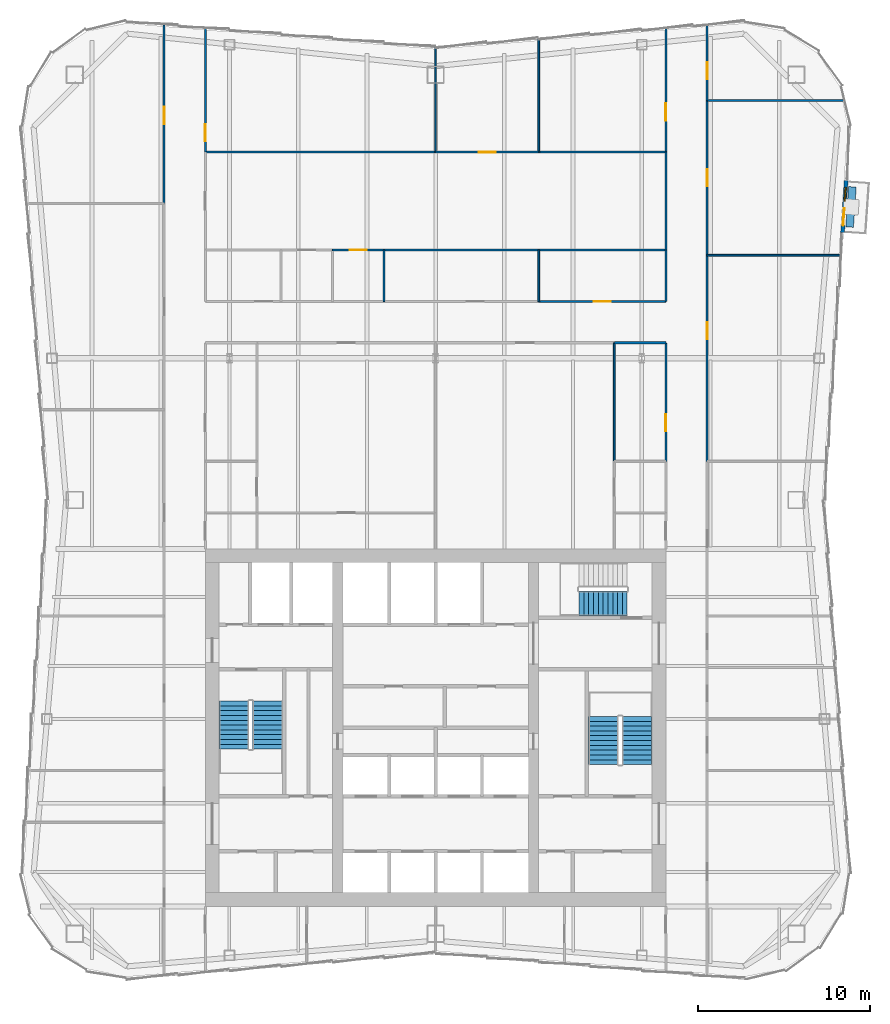
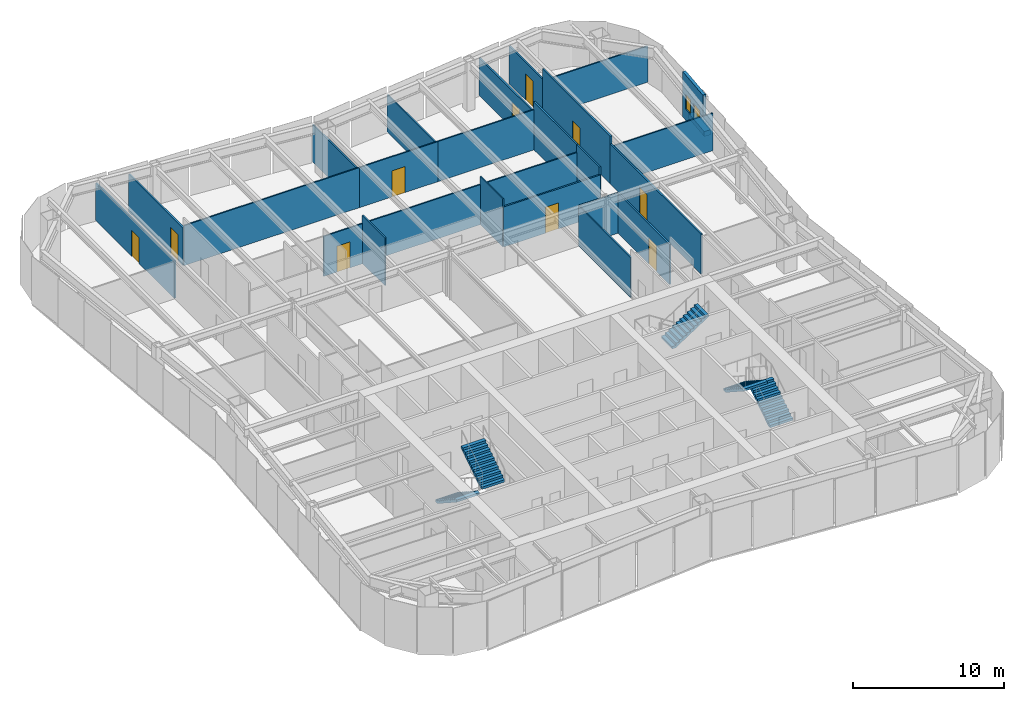
# One storey, part 9 of 12: 26 walls, 11 doors, 5 stair flights, 1 window, 12 openings, 3 elements without a shape of their own.
"""IFC4 building model written with IfcOpenShell, lengths in metres."""

from ifc_helpers import new_model, si_unit, direction, frame, frame_2d, origin, place, context, subcontext, project, spatial, polyline, rectangle, outline, extrude, material, layer, layer_set, type_object, element, fill, aggregate, save


model = new_model("IFC4")

# Units and contexts
model_context = context("Model", 3, precision=1e-05, world=origin(), true_north=direction((0.0, 1.0)))
body_context = subcontext(model_context, "Body", "Model", "MODEL_VIEW")
ifc_project = project(units=[si_unit("LENGTHUNIT", "METRE"), si_unit("AREAUNIT", "SQUARE_METRE"), si_unit("VOLUMEUNIT", "CUBIC_METRE"), si_unit("PLANEANGLEUNIT", "RADIAN"), si_unit("MASSUNIT", "GRAM", prefix="KILO")], contexts=[model_context])

# Site, building, storey
site_placement = place(None, origin())
site = spatial("IfcSite", under=ifc_project, at=site_placement, CompositionType="ELEMENT")
building_placement = place(site_placement, origin())
building = spatial("IfcBuilding", under=site, at=building_placement, Name="Verdant Reach Tower", CompositionType="ELEMENT")
storey_placement = place(building_placement, frame((0.0, 0.0, 242.0)))
storey = spatial("IfcBuildingStorey", under=building, at=storey_placement, Name="L55", CompositionType="ELEMENT", Elevation=242.0)

# Wall, openings, door, window
ifc_material_1 = material(Name="Insulated bronze aluminium panel wall", Category="aluminium")
ifc_layer_1 = layer(ifc_material_1, 0.219970703125)
ifc_layer_set_1 = layer_set([ifc_layer_1], Name="EN-INFILL WALL")
wall_type_1 = type_object("IfcWallType", Name="EN-INFILL WALL", PredefinedType="SOLIDWALL", material=ifc_layer_set_1)
wall_1_placement = place(storey_placement, frame((23.685546875, 56.81201171875, 0.0), z_axis=(0.0, 0.0, 1.0), x_axis=(0.06875808698, 0.99763336225, 0.0)))
wall_1 = element("IfcWall", 1, at=wall_1_placement, inside=storey, type_object=wall_type_1, Name="External infill wall, balcony bay 1, L55", PredefinedType="SOLIDWALL", context=body_context, shape_type="SweptSolid", body=[
    extrude(rectangle(XDim=3.046630859375, YDim=0.22412109375, at=frame_2d((1.5234375, 0.0))), origin(), (0.0, 0.0, 1.0), 3.64990234375),
])
opening_1_placement = place(wall_1_placement, frame((0.41552734375, 0.0, 0.0)))
opening_1 = element("IfcOpeningElement", 2, at=opening_1_placement, cuts=wall_1, Name="Opening BD1", PredefinedType="OPENING", context=body_context, shape_type="SweptSolid", body=[
    extrude(rectangle(XDim=1.0, YDim=2.10009765625, at=frame_2d((0.5, 1.050048828125))), frame((0.0, 0.1220703125, 0.0), z_axis=(0.0, -1.0, 0.0), x_axis=(1.0, 0.0, 0.0)), (0.0, 0.0, 1.0), 0.244140625),
])
opening_2_placement = place(wall_1_placement, frame((1.8310546875, 0.0, 0.89990234375)))
opening_2 = element("IfcOpeningElement", 3, at=opening_2_placement, cuts=wall_1, Name="Opening BW1", PredefinedType="OPENING", context=body_context, shape_type="SweptSolid", body=[
    extrude(rectangle(XDim=0.800048828125, YDim=1.199951171875, at=frame_2d((0.39990234375, 0.60009765625))), frame((0.0, 0.1220703125, 0.0), z_axis=(0.0, -1.0, 0.0), x_axis=(1.0, 0.0, 0.0)), (0.0, 0.0, 1.0), 0.244140625),
])
ifc_material_2 = material(Name="Aluminium framed glazed door", Category="aluminium")
door_type_1 = type_object("IfcDoorType", Name="EN-DOOR BALCONY", OperationType="NOTDEFINED", PredefinedType="DOOR", material=ifc_material_2)
door_1_placement = place(opening_1_placement, origin())
door_1 = element("IfcDoor", 4, at=door_1_placement, inside=storey, type_object=door_type_1, Name="Balcony door 1, L55", OperationType="SINGLE_SWING_LEFT", OverallHeight=2.10009765625, OverallWidth=1.0, PredefinedType="DOOR", context=body_context, shape_type="SweptSolid", body=[
    extrude(rectangle(XDim=1.0, YDim=2.10009765625, at=frame_2d((0.5, 1.050048828125))), frame((0.0, 0.02490234375, 0.0), z_axis=(0.0, -1.0, 0.0), x_axis=(1.0, 0.0, 0.0)), (0.0, 0.0, 1.0), 0.050048828125),
])
fill(opening_1, door_1)
ifc_material_3 = material(Name="Aluminium framed glazing", Category="aluminium")
window_type = type_object("IfcWindowType", Name="EN-WINDOW BALCONY", PartitioningType="SINGLE_PANEL", PredefinedType="WINDOW", material=ifc_material_3)
window_placement = place(opening_2_placement, origin())
window = element("IfcWindow", 5, at=window_placement, inside=storey, type_object=window_type, Name="Balcony window 1, L55", OverallHeight=1.199951171875, OverallWidth=0.800048828125, PartitioningType="SINGLE_PANEL", PredefinedType="WINDOW", context=body_context, shape_type="SweptSolid", body=[
    extrude(rectangle(XDim=0.800048828125, YDim=1.199951171875, at=frame_2d((0.39990234375, 0.60009765625))), frame((0.0, 0.030029296875, 0.0), z_axis=(0.0, -1.0, 0.0), x_axis=(1.0, 0.0, 0.0)), (0.0, 0.0, 1.0), 0.06005859375),
])
fill(opening_2, window)

# Walls
ifc_material_4 = material(Name="Precast concrete C30/37", Category="concrete")
ifc_layer_2 = layer(ifc_material_4, 0.449951171875)
ifc_layer_set_2 = layer_set([ifc_layer_2], Name="EN-PLANTER")
wall_type_2 = type_object("IfcWallType", Name="EN-PLANTER", PredefinedType="USERDEFINED", material=ifc_layer_set_2)
wall_2_placement = place(storey_placement, frame((24.095703125, 57.134521484375, 0.0), z_axis=(0.0, 0.0, 1.0), x_axis=(0.06877709495, 0.997632052016, 0.0)))
element("IfcWall", 6, at=wall_2_placement, inside=storey, type_object=wall_type_2, Name="Balcony planter 1, L55", ObjectType="PLANTER", PredefinedType="USERDEFINED", context=body_context, shape_type="SweptSolid", body=[
    extrude(rectangle(XDim=2.346435546875, YDim=0.449951171875, at=frame_2d((1.17333984375, 0.0))), origin(), (0.0, 0.0, 1.0), 0.39990234375),
])
ifc_material_5 = material(Name="Gypsum board on steel studs", Category="steel")
ifc_layer_3 = layer(ifc_material_5, 0.10009765625)
ifc_layer_set_3 = layer_set([ifc_layer_3], Name="FL-W1 Partition 100")
wall_type_3 = type_object("IfcWallType", Name="FL-W1 Partition 100", PredefinedType="PARTITIONING", material=ifc_layer_set_3)
wall_3_placement = place(storey_placement, frame((23.562744140625, 55.5, 0.0), z_axis=(0.0, 0.0, 1.0), x_axis=(-1.0, 0.0, 0.0)))
element("IfcWall", 7, at=wall_3_placement, inside=storey, type_object=wall_type_3, Name="Partition 55.48", PredefinedType="PARTITIONING", context=body_context, shape_type="SweptSolid", body=[
    extrude(rectangle(XDim=7.7626953125, YDim=0.10009765625, at=frame_2d((3.88134765625, 0.0))), origin(), (0.0, 0.0, 1.0), 3.0400390625),
])
wall_4_placement = place(storey_placement, frame((23.781494140625, 64.5, 0.0), z_axis=(0.0, 0.0, 1.0), x_axis=(-1.0, 0.0, 0.0)))
element("IfcWall", 8, at=wall_4_placement, inside=storey, type_object=wall_type_3, Name="Partition 55.49", PredefinedType="PARTITIONING", context=body_context, shape_type="SweptSolid", body=[
    extrude(rectangle(XDim=7.9814453125, YDim=0.10009765625, at=frame_2d((3.99072265625, 0.0))), origin(), (0.0, 0.0, 1.0), 2.929931640625),
])
wall_5_placement = place(storey_placement, frame((10.39990234375, 50.39990234375, 0.0), z_axis=(0.0, 0.0, 1.0), x_axis=(0.0, -1.0, 0.0)))
element("IfcWall", 9, at=wall_5_placement, inside=storey, type_object=wall_type_3, Name="Partition 55.65", PredefinedType="PARTITIONING", context=body_context, shape_type="SweptSolid", body=[
    extrude(rectangle(XDim=6.90380859375, YDim=0.10009765625, at=frame_2d((3.451904296875, 0.0))), origin(), (0.0, 0.0, 1.0), 3.239990234375),
])
wall_6_placement = place(storey_placement, frame((-3.0, 52.800048828125, 0.0), z_axis=(0.0, 0.0, 1.0), x_axis=(0.0, 1.0, 0.0)))
element("IfcWall", 10, at=wall_6_placement, inside=storey, type_object=wall_type_3, Name="Partition 55.70", PredefinedType="PARTITIONING", context=body_context, shape_type="SweptSolid", body=[
    extrude(rectangle(XDim=3.0, YDim=0.10009765625, at=frame_2d((1.5, 0.0))), origin(), (0.0, 0.0, 1.0), 3.8701171875),
])

# Wall, opening, door
wall_7_placement = place(storey_placement, frame((-2.99609375, 55.800048828125, 0.0), z_axis=(0.0, 0.0, 1.0), x_axis=(-1.0, 0.0, 0.0)))
wall_7 = element("IfcWall", 11, at=wall_7_placement, inside=storey, type_object=wall_type_3, Name="Partition 55.71", PredefinedType="PARTITIONING", context=body_context, shape_type="SweptSolid", body=[
    extrude(rectangle(XDim=3.0078125, YDim=0.10009765625, at=frame_2d((1.50390625, 0.0))), origin(), (0.0, 0.0, 1.0), 3.239990234375),
])
opening_3_placement = place(wall_7_placement, frame((1.00390625, 0.0, 0.0)))
opening_3 = element("IfcOpeningElement", 12, at=opening_3_placement, cuts=wall_7, Name="Opening D3", PredefinedType="OPENING", context=body_context, shape_type="SweptSolid", body=[
    extrude(rectangle(XDim=1.0, YDim=2.10009765625, at=frame_2d((0.5, 1.050048828125))), frame((0.0, 0.06005859375, 0.0), z_axis=(0.0, -1.0, 0.0), x_axis=(1.0, 0.0, 0.0)), (0.0, 0.0, 1.0), 0.1201171875),
])
ifc_material_6 = material(Name="Painted timber door leaf", Category="wood")
door_type_2 = type_object("IfcDoorType", Name="FL-D3 Door 1000x2100", OperationType="NOTDEFINED", PredefinedType="DOOR", material=ifc_material_6)
door_2_placement = place(opening_3_placement, origin())
door_2 = element("IfcDoor", 13, at=door_2_placement, inside=storey, type_object=door_type_2, Name="Door 55-035", OperationType="SINGLE_SWING_LEFT", OverallHeight=2.10009765625, OverallWidth=1.0, PredefinedType="DOOR", context=body_context, shape_type="SweptSolid", body=[
    extrude(rectangle(XDim=1.0, YDim=2.10009765625, at=frame_2d((0.5, 1.050048828125))), frame((0.0, 0.02490234375, 0.0), z_axis=(0.0, -1.0, 0.0), x_axis=(1.0, 0.0, 0.0)), (0.0, 0.0, 1.0), 0.050048828125),
])
fill(opening_3, door_2)

# Walls
wall_8_placement = place(storey_placement, frame((6.0, 52.800048828125, 0.0), z_axis=(0.0, 0.0, 1.0), x_axis=(0.0, 1.0, 0.0)))
element("IfcWall", 14, at=wall_8_placement, inside=storey, type_object=wall_type_3, Name="Partition 55.72", PredefinedType="PARTITIONING", context=body_context, shape_type="SweptSolid", body=[
    extrude(rectangle(XDim=3.0, YDim=0.10009765625, at=frame_2d((1.5, 0.0))), origin(), (0.0, 0.0, 1.0), 3.8701171875),
])
wall_9_placement = place(storey_placement, frame((6.00390625, 55.800048828125, 0.0), z_axis=(0.0, 0.0, 1.0), x_axis=(-1.0, 0.0, 0.0)))
element("IfcWall", 15, at=wall_9_placement, inside=storey, type_object=wall_type_3, Name="Partition 55.73", PredefinedType="PARTITIONING", context=body_context, shape_type="SweptSolid", body=[
    extrude(rectangle(XDim=9.0078125, YDim=0.10009765625, at=frame_2d((4.50390625, 0.0))), origin(), (0.0, 0.0, 1.0), 3.239990234375),
])
wall_10_placement = place(storey_placement, frame((13.39990234375, 55.800048828125, 0.0), z_axis=(0.0, 0.0, 1.0), x_axis=(-1.0, 0.0, 0.0)))
element("IfcWall", 16, at=wall_10_placement, inside=storey, type_object=wall_type_3, Name="Partition 55.74", PredefinedType="PARTITIONING", context=body_context, shape_type="SweptSolid", body=[
    extrude(rectangle(XDim=7.40380859375, YDim=0.10009765625, at=frame_2d((3.701904296875, 0.0))), origin(), (0.0, 0.0, 1.0), 3.239990234375),
])
wall_11_placement = place(storey_placement, frame((0.0, 61.5, 0.0), z_axis=(0.0, 0.0, 1.0), x_axis=(-1.0, 0.0, 0.0)))
element("IfcWall", 17, at=wall_11_placement, inside=storey, type_object=wall_type_3, Name="Partition 55.75", PredefinedType="PARTITIONING", context=body_context, shape_type="SweptSolid", body=[
    extrude(rectangle(XDim=13.39990234375, YDim=0.10009765625, at=frame_2d((6.699951171875, 0.0))), origin(), (0.0, 0.0, 1.0), 3.239990234375),
])

# Wall, opening, door
wall_12_placement = place(storey_placement, frame((0.0, 61.5, 0.0), z_axis=(0.0, 0.0, 1.0), x_axis=(1.0, 0.0, 0.0)))
wall_12 = element("IfcWall", 18, at=wall_12_placement, inside=storey, type_object=wall_type_3, Name="Partition 55.76", PredefinedType="PARTITIONING", context=body_context, shape_type="SweptSolid", body=[
    extrude(rectangle(XDim=6.0, YDim=0.10009765625, at=frame_2d((3.0, 0.0))), origin(), (0.0, 0.0, 1.0), 3.239990234375),
])
opening_4_placement = place(wall_12_placement, frame((2.5, 0.0, 0.0)))
opening_4 = element("IfcOpeningElement", 19, at=opening_4_placement, cuts=wall_12, Name="Opening D3", PredefinedType="OPENING", context=body_context, shape_type="SweptSolid", body=[
    extrude(rectangle(XDim=1.0, YDim=2.10009765625, at=frame_2d((0.5, 1.050048828125))), frame((0.0, 0.06005859375, 0.0), z_axis=(0.0, -1.0, 0.0), x_axis=(1.0, 0.0, 0.0)), (0.0, 0.0, 1.0), 0.1201171875),
])
door_3_placement = place(opening_4_placement, origin())
door_3 = element("IfcDoor", 20, at=door_3_placement, inside=storey, type_object=door_type_2, Name="Door 55-036", OperationType="SINGLE_SWING_RIGHT", OverallHeight=2.10009765625, OverallWidth=1.0, PredefinedType="DOOR", context=body_context, shape_type="SweptSolid", body=[
    extrude(rectangle(XDim=1.0, YDim=2.10009765625, at=frame_2d((0.5, 1.050048828125))), frame((0.0, 0.02490234375, 0.0), z_axis=(0.0, -1.0, 0.0), x_axis=(1.0, 0.0, 0.0)), (0.0, 0.0, 1.0), 0.050048828125),
])
fill(opening_4, door_3)

# Walls
wall_13_placement = place(storey_placement, frame((13.39990234375, 61.5, 0.0), z_axis=(0.0, 0.0, 1.0), x_axis=(-1.0, 0.0, 0.0)))
element("IfcWall", 21, at=wall_13_placement, inside=storey, type_object=wall_type_3, Name="Partition 55.77", PredefinedType="PARTITIONING", context=body_context, shape_type="SweptSolid", body=[
    extrude(rectangle(XDim=7.39990234375, YDim=0.10009765625, at=frame_2d((3.699951171875, 0.0))), origin(), (0.0, 0.0, 1.0), 3.239990234375),
])
wall_14_placement = place(storey_placement, frame((0.0, 61.5, 0.0), z_axis=(0.0, 0.0, 1.0), x_axis=(0.0, 1.0, 0.0)))
element("IfcWall", 22, at=wall_14_placement, inside=storey, type_object=wall_type_3, Name="Partition 55.78", PredefinedType="PARTITIONING", context=body_context, shape_type="SweptSolid", body=[
    extrude(rectangle(XDim=6.080078125, YDim=0.10009765625, at=frame_2d((3.0400390625, 0.0))), origin(), (0.0, 0.0, 1.0), 3.0400390625),
])
wall_15_placement = place(storey_placement, frame((6.0, 61.5, 0.0), z_axis=(0.0, 0.0, 1.0), x_axis=(0.0, 1.0, 0.0)))
element("IfcWall", 23, at=wall_15_placement, inside=storey, type_object=wall_type_3, Name="Partition 55.79", PredefinedType="PARTITIONING", context=body_context, shape_type="SweptSolid", body=[
    extrude(rectangle(XDim=6.580078125, YDim=0.10009765625, at=frame_2d((3.2900390625, 0.0))), origin(), (0.0, 0.0, 1.0), 3.0400390625),
])

# Wall, opening, door
ifc_material_7 = material(Name="Gypsum board on steel studs, fire rated", Category="steel")
ifc_layer_4 = layer(ifc_material_7, 0.125)
ifc_layer_set_4 = layer_set([ifc_layer_4], Name="FL-W2 Corridor wall 125")
wall_type_4 = type_object("IfcWallType", Name="FL-W2 Corridor wall 125", PredefinedType="PARTITIONING", material=ifc_layer_set_4)
wall_16_placement = place(storey_placement, frame((-15.800048828125, 58.5, 0.0), z_axis=(0.0, 0.0, 1.0), x_axis=(0.0, 1.0, 0.0)))
wall_16 = element("IfcWall", 24, at=wall_16_placement, inside=storey, type_object=wall_type_4, Name="Partition 55.06", PredefinedType="PARTITIONING", context=body_context, shape_type="SweptSolid", body=[
    extrude(rectangle(XDim=10.396728515625, YDim=0.125, at=frame_2d((5.1982421875, 0.0))), origin(), (0.0, 0.0, 1.0), 3.0400390625),
])
opening_5_placement = place(wall_16_placement, frame((4.63330078125, 0.0, 0.0)))
opening_5 = element("IfcOpeningElement", 25, at=opening_5_placement, cuts=wall_16, Name="Opening D2", PredefinedType="OPENING", context=body_context, shape_type="SweptSolid", body=[
    extrude(rectangle(XDim=1.0, YDim=2.10009765625, at=frame_2d((0.5, 1.050048828125))), frame((0.0, 0.072509765625, 0.0), z_axis=(0.0, -1.0, 0.0), x_axis=(1.0, 0.0, 0.0)), (0.0, 0.0, 1.0), 0.14501953125),
])
ifc_material_8 = material(Name="Timber door leaf, fire rated", Category="wood")
door_type_3 = type_object("IfcDoorType", Name="FL-D2 Entrance door 1000x2100 FD30", OperationType="NOTDEFINED", PredefinedType="DOOR", material=ifc_material_8)
door_4_placement = place(opening_5_placement, origin())
door_4 = element("IfcDoor", 26, at=door_4_placement, inside=storey, type_object=door_type_3, Name="Door 55-006", OperationType="SINGLE_SWING_LEFT", OverallHeight=2.10009765625, OverallWidth=1.0, PredefinedType="DOOR", context=body_context, shape_type="SweptSolid", body=[
    extrude(rectangle(XDim=1.0, YDim=2.10009765625, at=frame_2d((0.5, 1.050048828125))), frame((0.0, 0.02490234375, 0.0), z_axis=(0.0, -1.0, 0.0), x_axis=(1.0, 0.0, 0.0)), (0.0, 0.0, 1.0), 0.050048828125),
])
fill(opening_5, door_4)

wall_17_placement = place(storey_placement, frame((15.800048828125, 55.5, 0.0), z_axis=(0.0, 0.0, 1.0), x_axis=(0.0, -1.0, 0.0)))
wall_17 = element("IfcWall", 27, at=wall_17_placement, inside=storey, type_object=wall_type_4, Name="Partition 55.12", PredefinedType="PARTITIONING", context=body_context, shape_type="SweptSolid", body=[
    extrude(rectangle(XDim=12.0, YDim=0.125, at=frame_2d((6.0, 0.0))), origin(), (0.0, 0.0, 1.0), 3.239990234375),
])
opening_6_placement = place(wall_17_placement, frame((3.89990234375, 0.0, 0.0)))
opening_6 = element("IfcOpeningElement", 28, at=opening_6_placement, cuts=wall_17, Name="Opening D2", PredefinedType="OPENING", context=body_context, shape_type="SweptSolid", body=[
    extrude(rectangle(XDim=1.0, YDim=2.10009765625, at=frame_2d((0.5, 1.050048828125))), frame((0.0, 0.072509765625, 0.0), z_axis=(0.0, -1.0, 0.0), x_axis=(1.0, 0.0, 0.0)), (0.0, 0.0, 1.0), 0.14501953125),
])
door_5_placement = place(opening_6_placement, origin())
door_5 = element("IfcDoor", 29, at=door_5_placement, inside=storey, type_object=door_type_3, Name="Door 55-012", OperationType="SINGLE_SWING_LEFT", OverallHeight=2.10009765625, OverallWidth=1.0, PredefinedType="DOOR", context=body_context, shape_type="SweptSolid", body=[
    extrude(rectangle(XDim=1.0, YDim=2.10009765625, at=frame_2d((0.5, 1.050048828125))), frame((0.0, 0.02490234375, 0.0), z_axis=(0.0, -1.0, 0.0), x_axis=(1.0, 0.0, 0.0)), (0.0, 0.0, 1.0), 0.050048828125),
])
fill(opening_6, door_5)

wall_18_placement = place(storey_placement, frame((15.800048828125, 64.5, 0.0), z_axis=(0.0, 0.0, 1.0), x_axis=(0.0, -1.0, 0.0)))
wall_18 = element("IfcWall", 30, at=wall_18_placement, inside=storey, type_object=wall_type_4, Name="Partition 55.13", PredefinedType="PARTITIONING", context=body_context, shape_type="SweptSolid", body=[
    extrude(rectangle(XDim=9.0, YDim=0.125, at=frame_2d((4.5, 0.0))), origin(), (0.0, 0.0, 1.0), 3.8701171875),
])
opening_7_placement = place(wall_18_placement, frame((4.0, 0.0, 0.0)))
opening_7 = element("IfcOpeningElement", 31, at=opening_7_placement, cuts=wall_18, Name="Opening D2", PredefinedType="OPENING", context=body_context, shape_type="SweptSolid", body=[
    extrude(rectangle(XDim=1.0, YDim=2.10009765625, at=frame_2d((0.5, 1.050048828125))), frame((0.0, 0.072509765625, 0.0), z_axis=(0.0, -1.0, 0.0), x_axis=(1.0, 0.0, 0.0)), (0.0, 0.0, 1.0), 0.14501953125),
])
door_6_placement = place(opening_7_placement, origin())
door_6 = element("IfcDoor", 32, at=door_6_placement, inside=storey, type_object=door_type_3, Name="Door 55-013", OperationType="SINGLE_SWING_LEFT", OverallHeight=2.10009765625, OverallWidth=1.0, PredefinedType="DOOR", context=body_context, shape_type="SweptSolid", body=[
    extrude(rectangle(XDim=1.0, YDim=2.10009765625, at=frame_2d((0.5, 1.050048828125))), frame((0.0, 0.02490234375, 0.0), z_axis=(0.0, -1.0, 0.0), x_axis=(1.0, 0.0, 0.0)), (0.0, 0.0, 1.0), 0.050048828125),
])
fill(opening_7, door_6)

wall_19_placement = place(storey_placement, frame((15.800048828125, 68.896728515625, 0.0), z_axis=(0.0, 0.0, 1.0), x_axis=(0.0, -1.0, 0.0)))
wall_19 = element("IfcWall", 33, at=wall_19_placement, inside=storey, type_object=wall_type_4, Name="Partition 55.14", PredefinedType="PARTITIONING", context=body_context, shape_type="SweptSolid", body=[
    extrude(rectangle(XDim=4.396728515625, YDim=0.125, at=frame_2d((2.1982421875, 0.0))), origin(), (0.0, 0.0, 1.0), 3.0400390625),
])
opening_8_placement = place(wall_19_placement, frame((2.163330078125, 0.0, 0.0)))
opening_8 = element("IfcOpeningElement", 34, at=opening_8_placement, cuts=wall_19, Name="Opening D2", PredefinedType="OPENING", context=body_context, shape_type="SweptSolid", body=[
    extrude(rectangle(XDim=1.0, YDim=2.10009765625, at=frame_2d((0.5, 1.050048828125))), frame((0.0, 0.072509765625, 0.0), z_axis=(0.0, -1.0, 0.0), x_axis=(1.0, 0.0, 0.0)), (0.0, 0.0, 1.0), 0.14501953125),
])
door_7_placement = place(opening_8_placement, origin())
door_7 = element("IfcDoor", 35, at=door_7_placement, inside=storey, type_object=door_type_3, Name="Door 55-014", OperationType="SINGLE_SWING_RIGHT", OverallHeight=2.10009765625, OverallWidth=1.0, PredefinedType="DOOR", context=body_context, shape_type="SweptSolid", body=[
    extrude(rectangle(XDim=1.0, YDim=2.10009765625, at=frame_2d((0.5, 1.050048828125))), frame((0.0, 0.02490234375, 0.0), z_axis=(0.0, -1.0, 0.0), x_axis=(1.0, 0.0, 0.0)), (0.0, 0.0, 1.0), 0.050048828125),
])
fill(opening_8, door_7)

# Wall
wall_20_placement = place(storey_placement, frame((13.39990234375, 50.39990234375, 0.0), z_axis=(0.0, 0.0, 1.0), x_axis=(-1.0, 0.0, 0.0)))
element("IfcWall", 36, at=wall_20_placement, inside=storey, type_object=wall_type_4, Name="Partition 55.24", PredefinedType="PARTITIONING", context=body_context, shape_type="SweptSolid", body=[
    extrude(rectangle(XDim=3.0, YDim=0.125, at=frame_2d((1.5, 0.0))), origin(), (0.0, 0.0, 1.0), 3.239990234375),
])

# Wall, opening, door
wall_21_placement = place(storey_placement, frame((13.39990234375, 43.5, 0.0), z_axis=(0.0, 0.0, 1.0), x_axis=(0.0, 1.0, 0.0)))
wall_21 = element("IfcWall", 37, at=wall_21_placement, inside=storey, type_object=wall_type_4, Name="Partition 55.25", PredefinedType="PARTITIONING", context=body_context, shape_type="SweptSolid", body=[
    extrude(rectangle(XDim=6.89990234375, YDim=0.125, at=frame_2d((3.449951171875, 0.0))), origin(), (0.0, 0.0, 1.0), 3.239990234375),
])
opening_9_placement = place(wall_21_placement, frame((1.75, 0.0, 0.0)))
opening_9 = element("IfcOpeningElement", 38, at=opening_9_placement, cuts=wall_21, Name="Opening D2", PredefinedType="OPENING", context=body_context, shape_type="SweptSolid", body=[
    extrude(rectangle(XDim=1.0, YDim=2.10009765625, at=frame_2d((0.5, 1.050048828125))), frame((0.0, 0.072509765625, 0.0), z_axis=(0.0, -1.0, 0.0), x_axis=(1.0, 0.0, 0.0)), (0.0, 0.0, 1.0), 0.14501953125),
])
door_8_placement = place(opening_9_placement, origin())
door_8 = element("IfcDoor", 39, at=door_8_placement, inside=storey, type_object=door_type_3, Name="Door 55-021", OperationType="SINGLE_SWING_LEFT", OverallHeight=2.10009765625, OverallWidth=1.0, PredefinedType="DOOR", context=body_context, shape_type="SweptSolid", body=[
    extrude(rectangle(XDim=1.0, YDim=2.10009765625, at=frame_2d((0.5, 1.050048828125))), frame((0.0, 0.02490234375, 0.0), z_axis=(0.0, -1.0, 0.0), x_axis=(1.0, 0.0, 0.0)), (0.0, 0.0, 1.0), 0.050048828125),
])
fill(opening_9, door_8)

# Wall
wall_22_placement = place(storey_placement, frame((13.39990234375, 52.800048828125, 0.0), z_axis=(0.0, 0.0, 1.0), x_axis=(0.0, 1.0, 0.0)))
element("IfcWall", 40, at=wall_22_placement, inside=storey, type_object=wall_type_4, Name="Partition 55.32", PredefinedType="PARTITIONING", context=body_context, shape_type="SweptSolid", body=[
    extrude(rectangle(XDim=3.0, YDim=0.125, at=frame_2d((1.5, 0.0))), origin(), (0.0, 0.0, 1.0), 3.8701171875),
])

# Wall, opening, door
wall_23_placement = place(storey_placement, frame((6.0, 52.800048828125, 0.0), z_axis=(0.0, 0.0, 1.0), x_axis=(1.0, 0.0, 0.0)))
wall_23 = element("IfcWall", 41, at=wall_23_placement, inside=storey, type_object=wall_type_4, Name="Partition 55.33", PredefinedType="PARTITIONING", context=body_context, shape_type="SweptSolid", body=[
    extrude(rectangle(XDim=7.39990234375, YDim=0.125, at=frame_2d((3.699951171875, 0.0))), origin(), (0.0, 0.0, 1.0), 3.239990234375),
])
opening_10_placement = place(wall_23_placement, frame((3.199951171875, 0.0, 0.0)))
opening_10 = element("IfcOpeningElement", 42, at=opening_10_placement, cuts=wall_23, Name="Opening D2", PredefinedType="OPENING", context=body_context, shape_type="SweptSolid", body=[
    extrude(rectangle(XDim=1.0, YDim=2.10009765625, at=frame_2d((0.5, 1.050048828125))), frame((0.0, 0.072509765625, 0.0), z_axis=(0.0, -1.0, 0.0), x_axis=(1.0, 0.0, 0.0)), (0.0, 0.0, 1.0), 0.14501953125),
])
door_9_placement = place(opening_10_placement, origin())
door_9 = element("IfcDoor", 43, at=door_9_placement, inside=storey, type_object=door_type_3, Name="Door 55-025", OperationType="SINGLE_SWING_LEFT", OverallHeight=2.10009765625, OverallWidth=1.0, PredefinedType="DOOR", context=body_context, shape_type="SweptSolid", body=[
    extrude(rectangle(XDim=1.0, YDim=2.10009765625, at=frame_2d((0.5, 1.050048828125))), frame((0.0, 0.02490234375, 0.0), z_axis=(0.0, -1.0, 0.0), x_axis=(1.0, 0.0, 0.0)), (0.0, 0.0, 1.0), 0.050048828125),
])
fill(opening_10, door_9)

# Wall
wall_24_placement = place(storey_placement, frame((13.39990234375, 55.800048828125, 0.0), z_axis=(0.0, 0.0, 1.0), x_axis=(0.0, 1.0, 0.0)))
element("IfcWall", 44, at=wall_24_placement, inside=storey, type_object=wall_type_4, Name="Partition 55.35", PredefinedType="PARTITIONING", context=body_context, shape_type="SweptSolid", body=[
    extrude(rectangle(XDim=5.699951171875, YDim=0.125, at=frame_2d((2.85009765625, 0.0))), origin(), (0.0, 0.0, 1.0), 3.8701171875),
])

# Wall, opening, door
wall_25_placement = place(storey_placement, frame((-13.39990234375, 68.69677734375, 0.0), z_axis=(0.0, 0.0, 1.0), x_axis=(0.0, -1.0, 0.0)))
wall_25 = element("IfcWall", 45, at=wall_25_placement, inside=storey, type_object=wall_type_4, Name="Partition 55.36", PredefinedType="PARTITIONING", context=body_context, shape_type="SweptSolid", body=[
    extrude(rectangle(XDim=7.19677734375, YDim=0.125, at=frame_2d((3.598388671875, 0.0))), origin(), (0.0, 0.0, 1.0), 3.0400390625),
])
opening_11_placement = place(wall_25_placement, frame((5.5634765625, 0.0, 0.0)))
opening_11 = element("IfcOpeningElement", 46, at=opening_11_placement, cuts=wall_25, Name="Opening D2", PredefinedType="OPENING", context=body_context, shape_type="SweptSolid", body=[
    extrude(rectangle(XDim=1.0, YDim=2.10009765625, at=frame_2d((0.5, 1.050048828125))), frame((0.0, 0.072509765625, 0.0), z_axis=(0.0, -1.0, 0.0), x_axis=(1.0, 0.0, 0.0)), (0.0, 0.0, 1.0), 0.14501953125),
])
door_10_placement = place(opening_11_placement, origin())
door_10 = element("IfcDoor", 47, at=door_10_placement, inside=storey, type_object=door_type_3, Name="Door 55-027", OperationType="SINGLE_SWING_RIGHT", OverallHeight=2.10009765625, OverallWidth=1.0, PredefinedType="DOOR", context=body_context, shape_type="SweptSolid", body=[
    extrude(rectangle(XDim=1.0, YDim=2.10009765625, at=frame_2d((0.5, 1.050048828125))), frame((0.0, 0.02490234375, 0.0), z_axis=(0.0, -1.0, 0.0), x_axis=(1.0, 0.0, 0.0)), (0.0, 0.0, 1.0), 0.050048828125),
])
fill(opening_11, door_10)

wall_26_placement = place(storey_placement, frame((13.39990234375, 61.5, 0.0), z_axis=(0.0, 0.0, 1.0), x_axis=(0.0, 1.0, 0.0)))
wall_26 = element("IfcWall", 48, at=wall_26_placement, inside=storey, type_object=wall_type_4, Name="Partition 55.37", PredefinedType="PARTITIONING", context=body_context, shape_type="SweptSolid", body=[
    extrude(rectangle(XDim=7.19677734375, YDim=0.125, at=frame_2d((3.598388671875, 0.0))), origin(), (0.0, 0.0, 1.0), 3.0400390625),
])
opening_12_placement = place(wall_26_placement, frame((1.833251953125, 0.0, 0.0)))
opening_12 = element("IfcOpeningElement", 49, at=opening_12_placement, cuts=wall_26, Name="Opening D2", PredefinedType="OPENING", context=body_context, shape_type="SweptSolid", body=[
    extrude(rectangle(XDim=1.0, YDim=2.10009765625, at=frame_2d((0.5, 1.050048828125))), frame((0.0, 0.072509765625, 0.0), z_axis=(0.0, -1.0, 0.0), x_axis=(1.0, 0.0, 0.0)), (0.0, 0.0, 1.0), 0.14501953125),
])
door_11_placement = place(opening_12_placement, origin())
door_11 = element("IfcDoor", 50, at=door_11_placement, inside=storey, type_object=door_type_3, Name="Door 55-028", OperationType="SINGLE_SWING_LEFT", OverallHeight=2.10009765625, OverallWidth=1.0, PredefinedType="DOOR", context=body_context, shape_type="SweptSolid", body=[
    extrude(rectangle(XDim=1.0, YDim=2.10009765625, at=frame_2d((0.5, 1.050048828125))), frame((0.0, 0.02490234375, 0.0), z_axis=(0.0, -1.0, 0.0), x_axis=(1.0, 0.0, 0.0)), (0.0, 0.0, 1.0), 0.050048828125),
])
fill(opening_12, door_11)

# Stair, stair flights
ifc_material_9 = material(Name="Concrete C40/50", Category="concrete")
stair_type = type_object("IfcStairType", Name="CO-STAIR", PredefinedType="HALF_TURN_STAIR", material=ifc_material_9)
stair_1_placement = place(storey_placement, origin())
stair_1 = element("IfcStair", 51, at=stair_1_placement, inside=storey, type_object=stair_type, Name="L55 Exit stair 1", PredefinedType="HALF_TURN_STAIR")
stair_flight_type = type_object("IfcStairFlightType", Name="CO-STAIR-FLIGHT", PredefinedType="STRAIGHT", material=ifc_material_9)
stair_flight_1_placement = place(storey_placement, frame((-11.72509765625, 29.550048828125, 0.0), z_axis=(0.0, 0.0, 1.0), x_axis=(0.0, -1.0, 0.0)))
stair_flight_1 = element("IfcStairFlight", 52, at=stair_flight_1_placement, type_object=stair_flight_type, Name="ST-1 flight 1", NumberOfRisers=11, NumberOfTreads=10, PredefinedType="STRAIGHT", RiserHeight=0.181818182, TreadLength=0.28, context=body_context, shape_type="SweptSolid", body=[
    extrude(outline(polyline([(0.0, 0.0), (0.0, 0.181884765625), (0.280029296875, 0.181884765625), (0.280029296875, 0.363525390625), (0.56005859375, 0.363525390625), (0.56005859375, 0.54541015625), (0.840087890625, 0.54541015625), (0.840087890625, 0.727294921875), (1.1201171875, 0.727294921875), (1.1201171875, 0.9091796875), (1.39990234375, 0.9091796875), (1.39990234375, 1.0908203125), (1.679931640625, 1.0908203125), (1.679931640625, 1.272705078125), (1.9599609375, 1.272705078125), (1.9599609375, 1.45458984375), (2.239990234375, 1.45458984375), (2.239990234375, 1.636474609375), (2.52001953125, 1.636474609375), (2.52001953125, 1.818115234375), (2.800048828125, 1.818115234375), (2.800048828125, 2.0), (2.800048828125, 1.639404296875), (0.275146484375, 0.0), (0.0, 0.0)])), frame((0.0, 0.875, 0.0), z_axis=(0.0, -1.0, 0.0), x_axis=(1.0, 0.0, 0.0)), (0.0, 0.0, 1.0), 1.75),
])
stair_flight_2_placement = place(storey_placement, frame((-9.77490234375, 26.75, 2.0), z_axis=(0.0, 0.0, 1.0), x_axis=(0.0, 1.0, 0.0)))
stair_flight_2 = element("IfcStairFlight", 53, at=stair_flight_2_placement, type_object=stair_flight_type, Name="ST-1 flight 2", NumberOfRisers=11, NumberOfTreads=10, PredefinedType="STRAIGHT", RiserHeight=0.181818182, TreadLength=0.28, context=body_context, shape_type="SweptSolid", body=[
    extrude(outline(polyline([(0.0, 0.0), (0.0, 0.181884765625), (0.280029296875, 0.181884765625), (0.280029296875, 0.363525390625), (0.56005859375, 0.363525390625), (0.56005859375, 0.54541015625), (0.840087890625, 0.54541015625), (0.840087890625, 0.727294921875), (1.1201171875, 0.727294921875), (1.1201171875, 0.9091796875), (1.39990234375, 0.9091796875), (1.39990234375, 1.0908203125), (1.679931640625, 1.0908203125), (1.679931640625, 1.272705078125), (1.9599609375, 1.272705078125), (1.9599609375, 1.45458984375), (2.239990234375, 1.45458984375), (2.239990234375, 1.636474609375), (2.52001953125, 1.636474609375), (2.52001953125, 1.818115234375), (2.800048828125, 1.818115234375), (2.800048828125, 2.0), (2.800048828125, 1.639404296875), (0.275146484375, 0.0), (0.0, 0.0)])), frame((0.0, 0.875, 0.0), z_axis=(0.0, -1.0, 0.0), x_axis=(1.0, 0.0, 0.0)), (0.0, 0.0, 1.0), 1.75),
])
aggregate(stair_1, [stair_flight_1, stair_flight_2])

stair_2_placement = place(storey_placement, origin())
stair_2 = element("IfcStair", 54, at=stair_2_placement, inside=storey, type_object=stair_type, Name="L55 Exit stair 2", PredefinedType="HALF_TURN_STAIR")
stair_flight_3_placement = place(storey_placement, frame((11.72509765625, 25.85009765625, 0.0), z_axis=(0.0, 0.0, 1.0), x_axis=(0.0, 1.0, 0.0)))
stair_flight_3 = element("IfcStairFlight", 55, at=stair_flight_3_placement, type_object=stair_flight_type, Name="ST-2 flight 1", NumberOfRisers=11, NumberOfTreads=10, PredefinedType="STRAIGHT", RiserHeight=0.181818182, TreadLength=0.28, context=body_context, shape_type="SweptSolid", body=[
    extrude(outline(polyline([(0.0, 0.0), (0.0, 0.181884765625), (0.280029296875, 0.181884765625), (0.280029296875, 0.363525390625), (0.56005859375, 0.363525390625), (0.56005859375, 0.54541015625), (0.840087890625, 0.54541015625), (0.840087890625, 0.727294921875), (1.1201171875, 0.727294921875), (1.1201171875, 0.9091796875), (1.39990234375, 0.9091796875), (1.39990234375, 1.0908203125), (1.679931640625, 1.0908203125), (1.679931640625, 1.272705078125), (1.9599609375, 1.272705078125), (1.9599609375, 1.45458984375), (2.239990234375, 1.45458984375), (2.239990234375, 1.636474609375), (2.52001953125, 1.636474609375), (2.52001953125, 1.818115234375), (2.800048828125, 1.818115234375), (2.800048828125, 2.0), (2.800048828125, 1.639404296875), (0.275146484375, 0.0), (0.0, 0.0)])), frame((0.0, 0.875, 0.0), z_axis=(0.0, -1.0, 0.0), x_axis=(1.0, 0.0, 0.0)), (0.0, 0.0, 1.0), 1.75),
])
stair_flight_4_placement = place(storey_placement, frame((9.77490234375, 28.64990234375, 2.0), z_axis=(0.0, 0.0, 1.0), x_axis=(0.0, -1.0, 0.0)))
stair_flight_4 = element("IfcStairFlight", 56, at=stair_flight_4_placement, type_object=stair_flight_type, Name="ST-2 flight 2", NumberOfRisers=11, NumberOfTreads=10, PredefinedType="STRAIGHT", RiserHeight=0.181818182, TreadLength=0.28, context=body_context, shape_type="SweptSolid", body=[
    extrude(outline(polyline([(0.0, 0.0), (0.0, 0.181884765625), (0.280029296875, 0.181884765625), (0.280029296875, 0.363525390625), (0.56005859375, 0.363525390625), (0.56005859375, 0.54541015625), (0.840087890625, 0.54541015625), (0.840087890625, 0.727294921875), (1.1201171875, 0.727294921875), (1.1201171875, 0.9091796875), (1.39990234375, 0.9091796875), (1.39990234375, 1.0908203125), (1.679931640625, 1.0908203125), (1.679931640625, 1.272705078125), (1.9599609375, 1.272705078125), (1.9599609375, 1.45458984375), (2.239990234375, 1.45458984375), (2.239990234375, 1.636474609375), (2.52001953125, 1.636474609375), (2.52001953125, 1.818115234375), (2.800048828125, 1.818115234375), (2.800048828125, 2.0), (2.800048828125, 1.639404296875), (0.275146484375, 0.0), (0.0, 0.0)])), frame((0.0, 0.875, 0.0), z_axis=(0.0, -1.0, 0.0), x_axis=(1.0, 0.0, 0.0)), (0.0, 0.0, 1.0), 1.75),
])
aggregate(stair_2, [stair_flight_3, stair_flight_4])

# Stair, stair flight
stair_3_placement = place(storey_placement, origin())
stair_3 = element("IfcStair", 57, at=stair_3_placement, inside=storey, type_object=stair_type, Name="L55 Exit stair 3", PredefinedType="HALF_TURN_STAIR")
stair_flight_5_placement = place(storey_placement, frame((8.35009765625, 35.22509765625, 2.0), z_axis=(0.0, 0.0, 1.0), x_axis=(1.0, 0.0, 0.0)))
stair_flight_5 = element("IfcStairFlight", 58, at=stair_flight_5_placement, type_object=stair_flight_type, Name="ST-3 flight 2", NumberOfRisers=11, NumberOfTreads=10, PredefinedType="STRAIGHT", RiserHeight=0.181818182, TreadLength=0.28, context=body_context, shape_type="SweptSolid", body=[
    extrude(outline(polyline([(0.0, 0.0), (0.0, 0.181884765625), (0.280029296875, 0.181884765625), (0.280029296875, 0.363525390625), (0.56005859375, 0.363525390625), (0.56005859375, 0.54541015625), (0.840087890625, 0.54541015625), (0.840087890625, 0.727294921875), (1.1201171875, 0.727294921875), (1.1201171875, 0.9091796875), (1.39990234375, 0.9091796875), (1.39990234375, 1.0908203125), (1.679931640625, 1.0908203125), (1.679931640625, 1.272705078125), (1.9599609375, 1.272705078125), (1.9599609375, 1.45458984375), (2.239990234375, 1.45458984375), (2.239990234375, 1.636474609375), (2.52001953125, 1.636474609375), (2.52001953125, 1.818115234375), (2.800048828125, 1.818115234375), (2.800048828125, 2.0), (2.800048828125, 1.639404296875), (0.275146484375, 0.0), (0.0, 0.0)])), frame((0.0, 0.72509765625, 0.0), z_axis=(0.0, -1.0, 0.0), x_axis=(1.0, 0.0, 0.0)), (0.0, 0.0, 1.0), 1.449951171875),
])
aggregate(stair_3, [stair_flight_5])

save(model, "model.ifc")
